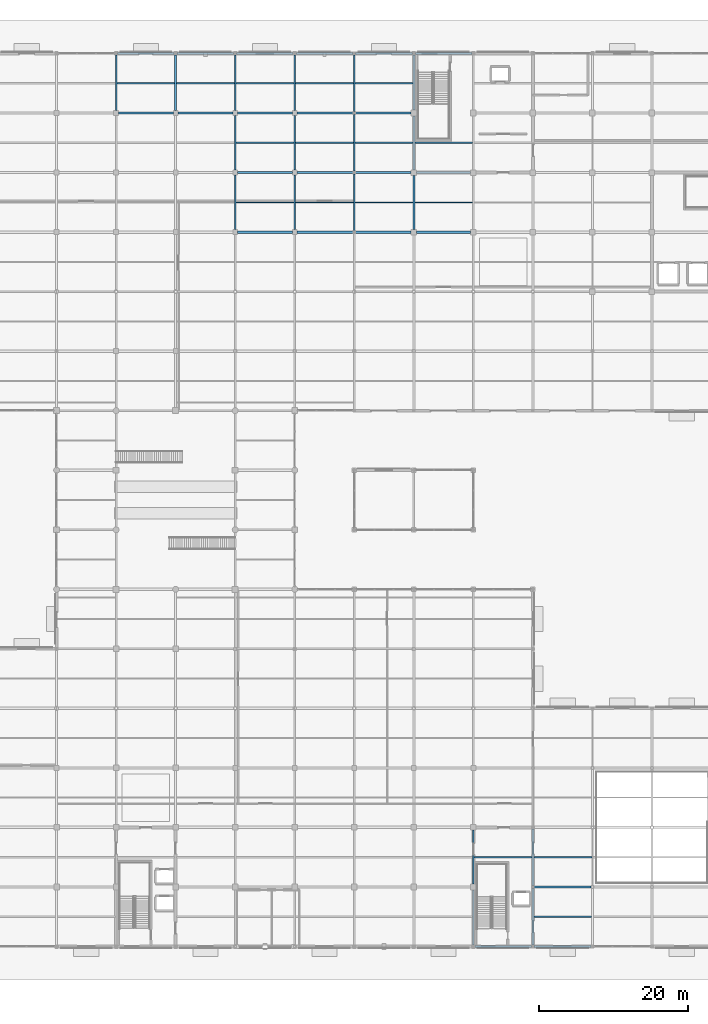
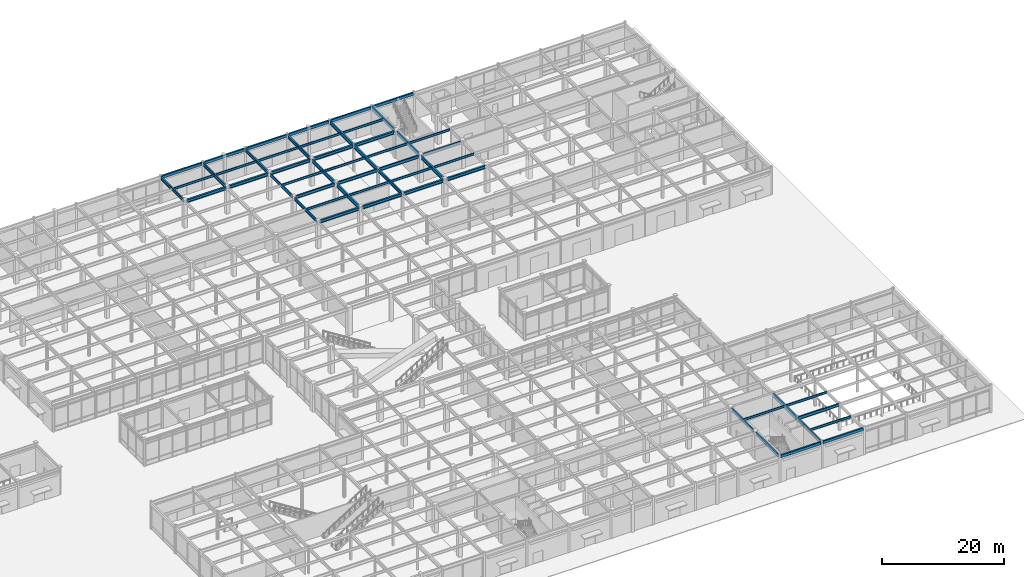
# One storey, part 76 of 128: 56 beams.
"""IFC4 building model written with IfcOpenShell, lengths in metres."""

from ifc_helpers import new_model, si_unit, direction, frame, origin, origin_2d, place, context, subcontext, project, spatial, hollow_rectangle, i_section, extrude, material, material_profile, profile_set, type_object, element, save


model = new_model("IFC4")

# Units and contexts
model_context = context("Model", 3, precision=1e-05, world=origin(), true_north=direction((0.0, 1.0)))
body_context = subcontext(model_context, "Body", "Model", "MODEL_VIEW")
ifc_project = project(units=[si_unit("LENGTHUNIT", "METRE"), si_unit("AREAUNIT", "SQUARE_METRE"), si_unit("VOLUMEUNIT", "CUBIC_METRE"), si_unit("PLANEANGLEUNIT", "RADIAN"), si_unit("MASSUNIT", "GRAM", prefix="KILO")], contexts=[model_context])

# Site, building, storey
site_placement = place(None, origin())
site = spatial("IfcSite", under=ifc_project, at=site_placement, CompositionType="ELEMENT")
building_placement = place(site_placement, origin())
building = spatial("IfcBuilding", under=site, at=building_placement, Name="Solmirada Galleria", CompositionType="ELEMENT")
storey_placement = place(building_placement, origin())
storey = spatial("IfcBuildingStorey", under=building, at=storey_placement, Name="L00", CompositionType="ELEMENT", Elevation=0.0)

# Beams
ifc_material_1 = material(Name="Steel S355 / ASTM A992 Grade 50", Category="steel")
ifc_material_profile_1 = material_profile(ifc_material_1, i_section(OverallWidth=0.323974609375, OverallDepth=0.611083984375, WebThickness=0.0126953125, FlangeThickness=0.01904296875, FilletRadius=0.014892578125, at=origin_2d()), Name="W24X104")
ifc_profile_set_1 = profile_set([ifc_material_profile_1], Name="Steel S355 / ASTM A992 Grade 50")
beam_type_1 = type_object("IfcBeamType", Name="BM-GIRD-W24A", PredefinedType="BEAM", material=ifc_profile_set_1)
for number, where, z_axis, x_axis, name in (
    (1, (88.324951171875, 112.0, 5.074462890625), (1.0, 0.0, 0.0), (0.0, 1.0, 0.0), "Primary beam L01 X(88..96, 112)"),
    (2, (96.324951171875, 112.0, 5.074462890625), (1.0, 0.0, 0.0), (0.0, 1.0, 0.0), "Primary beam L01 X(96..104, 112)"),
    (3, (104.324951171875, 96.0, 5.074462890625), (1.0, 0.0, 0.0), (0.0, 1.0, 0.0), "Primary beam L01 X(104..112, 96)"),
    (4, (104.324951171875, 112.0, 5.074462890625), (1.0, 0.0, 0.0), (0.0, 1.0, 0.0), "Primary beam L01 X(104..112, 112)"),
):
    element("IfcBeam", number, at=place(storey_placement, frame(where, z_axis=z_axis, x_axis=x_axis)), inside=storey, type_object=beam_type_1, Name=name, PredefinedType="BEAM", context=body_context, shape_type="SweptSolid", body=[
        extrude(i_section(OverallWidth=0.323974609375, OverallDepth=0.611083984375, WebThickness=0.0126953125, FlangeThickness=0.01904296875, FilletRadius=0.014892578125, at=origin_2d()), origin(), (0.0, 0.0, 1.0), 7.35009765625),
    ])
for number, where, z_axis, x_axis, name in (
    (5, (112.324951171875, 96.0, 5.074462890625), (1.0, 0.0, 0.0), (0.0, 1.0, 0.0), "Primary beam L01 X(112..120, 96)"),
    (6, (112.324951171875, 112.0, 5.074462890625), (1.0, 0.0, 0.0), (0.0, 1.0, 0.0), "Primary beam L01 X(112..120, 112)"),
):
    element("IfcBeam", number, at=place(storey_placement, frame(where, z_axis=z_axis, x_axis=x_axis)), inside=storey, type_object=beam_type_1, Name=name, PredefinedType="BEAM", context=body_context, shape_type="SweptSolid", body=[
        extrude(i_section(OverallWidth=0.323974609375, OverallDepth=0.611083984375, WebThickness=0.0126953125, FlangeThickness=0.01904296875, FilletRadius=0.014892578125, at=origin_2d()), origin(), (0.0, 0.0, 1.0), 7.4970703125),
    ])
for number, where, z_axis, x_axis, name in (
    (7, (120.177978515625, 96.0, 5.074462890625), (1.0, 0.0, 0.0), (0.0, 1.0, 0.0), "Primary beam L01 X(120..128, 96)"),
    (8, (120.177978515625, 112.0, 5.074462890625), (1.0, 0.0, 0.0), (0.0, 1.0, 0.0), "Primary beam L01 X(120..128, 112)"),
):
    element("IfcBeam", number, at=place(storey_placement, frame(where, z_axis=z_axis, x_axis=x_axis)), inside=storey, type_object=beam_type_1, Name=name, PredefinedType="BEAM", context=body_context, shape_type="SweptSolid", body=[
        extrude(i_section(OverallWidth=0.323974609375, OverallDepth=0.611083984375, WebThickness=0.0126953125, FlangeThickness=0.01904296875, FilletRadius=0.014892578125, at=origin_2d()), origin(), (0.0, 0.0, 1.0), 7.447021484375),
    ])
beam_1_placement = place(storey_placement, frame((128.375, 96.0, 5.074462890625), z_axis=(1.0, 0.0, 0.0), x_axis=(0.0, 1.0, 0.0)))
element("IfcBeam", 9, at=beam_1_placement, inside=storey, type_object=beam_type_1, Name="Primary beam L01 X(128..136, 96)", PredefinedType="BEAM", context=body_context, shape_type="SweptSolid", body=[
    extrude(i_section(OverallWidth=0.323974609375, OverallDepth=0.611083984375, WebThickness=0.0126953125, FlangeThickness=0.01904296875, FilletRadius=0.014892578125, at=origin_2d()), origin(), (0.0, 0.0, 1.0), 7.25),
])
ifc_material_profile_2 = material_profile(ifc_material_1, i_section(OverallWidth=0.22900390625, OverallDepth=0.612060546875, WebThickness=0.011962890625, FlangeThickness=0.01953125, FilletRadius=0.014892578125, at=origin_2d()), Name="W24X84")
ifc_profile_set_2 = profile_set([ifc_material_profile_2], Name="Steel S355 / ASTM A992 Grade 50")
beam_type_2 = type_object("IfcBeamType", Name="BM-GIRD-W24B", PredefinedType="BEAM", material=ifc_profile_set_2)
beam_2_placement = place(storey_placement, frame((104.324951171875, 104.0, 5.073974609375), z_axis=(1.0, 0.0, 0.0), x_axis=(0.0, 1.0, 0.0)))
element("IfcBeam", 10, at=beam_2_placement, inside=storey, type_object=beam_type_2, Name="Primary beam L01 X(104..112, 104)", PredefinedType="BEAM", context=body_context, shape_type="SweptSolid", body=[
    extrude(i_section(OverallWidth=0.22900390625, OverallDepth=0.612060546875, WebThickness=0.011962890625, FlangeThickness=0.01953125, FilletRadius=0.014892578125, at=origin_2d()), origin(), (0.0, 0.0, 1.0), 7.35009765625),
])
beam_3_placement = place(storey_placement, frame((112.324951171875, 104.0, 5.073974609375), z_axis=(1.0, 0.0, 0.0), x_axis=(0.0, 1.0, 0.0)))
element("IfcBeam", 11, at=beam_3_placement, inside=storey, type_object=beam_type_2, Name="Primary beam L01 X(112..120, 104)", PredefinedType="BEAM", context=body_context, shape_type="SweptSolid", body=[
    extrude(i_section(OverallWidth=0.22900390625, OverallDepth=0.612060546875, WebThickness=0.011962890625, FlangeThickness=0.01953125, FilletRadius=0.014892578125, at=origin_2d()), origin(), (0.0, 0.0, 1.0), 7.4970703125),
])
beam_4_placement = place(storey_placement, frame((120.177978515625, 104.0, 5.073974609375), z_axis=(1.0, 0.0, 0.0), x_axis=(0.0, 1.0, 0.0)))
element("IfcBeam", 12, at=beam_4_placement, inside=storey, type_object=beam_type_2, Name="Primary beam L01 X(120..128, 104)", PredefinedType="BEAM", context=body_context, shape_type="SweptSolid", body=[
    extrude(i_section(OverallWidth=0.22900390625, OverallDepth=0.612060546875, WebThickness=0.011962890625, FlangeThickness=0.01953125, FilletRadius=0.014892578125, at=origin_2d()), origin(), (0.0, 0.0, 1.0), 7.447021484375),
])
beam_5_placement = place(storey_placement, frame((128.375, 104.0, 5.073974609375), z_axis=(1.0, 0.0, 0.0), x_axis=(0.0, 1.0, 0.0)))
element("IfcBeam", 13, at=beam_5_placement, inside=storey, type_object=beam_type_2, Name="Primary beam L01 X(128..136, 104)", PredefinedType="BEAM", context=body_context, shape_type="SweptSolid", body=[
    extrude(i_section(OverallWidth=0.22900390625, OverallDepth=0.612060546875, WebThickness=0.011962890625, FlangeThickness=0.01953125, FilletRadius=0.014892578125, at=origin_2d()), origin(), (0.0, 0.0, 1.0), 7.25),
])
beam_6_placement = place(storey_placement, frame((144.177978515625, 8.0, 5.073974609375), z_axis=(1.0, 0.0, 0.0), x_axis=(0.0, 1.0, 0.0)))
element("IfcBeam", 14, at=beam_6_placement, inside=storey, type_object=beam_type_2, Name="Primary beam L01 X(144..152, 8)", PredefinedType="BEAM", context=body_context, shape_type="SweptSolid", body=[
    extrude(i_section(OverallWidth=0.22900390625, OverallDepth=0.612060546875, WebThickness=0.011962890625, FlangeThickness=0.01953125, FilletRadius=0.014892578125, at=origin_2d()), origin(), (0.0, 0.0, 1.0), 7.64404296875),
])
ifc_material_profile_3 = material_profile(ifc_material_1, i_section(OverallWidth=0.22802734375, OverallDepth=0.60302734375, WebThickness=0.010498046875, FlangeThickness=0.014892578125, FilletRadius=0.014892578125, at=origin_2d()), Name="W24X68")
ifc_profile_set_3 = profile_set([ifc_material_profile_3], Name="Steel S355 / ASTM A992 Grade 50")
beam_type_3 = type_object("IfcBeamType", Name="BM-GIRD-W24C", PredefinedType="BEAM", material=ifc_profile_set_3)
beam_7_placement = place(storey_placement, frame((88.0, 112.324951171875, 5.07861328125), z_axis=(0.0, 1.0, 0.0), x_axis=(-1.0, 0.0, 0.0)))
element("IfcBeam", 15, at=beam_7_placement, inside=storey, type_object=beam_type_3, Name="Primary girder L01 Y(88, 112..120)", PredefinedType="BEAM", context=body_context, shape_type="SweptSolid", body=[
    extrude(i_section(OverallWidth=0.22802734375, OverallDepth=0.60302734375, WebThickness=0.010498046875, FlangeThickness=0.014892578125, FilletRadius=0.014892578125, at=origin_2d()), origin(), (0.0, 0.0, 1.0), 7.47216796875),
])
beam_8_placement = place(storey_placement, frame((104.0, 96.324951171875, 5.07861328125), z_axis=(0.0, 1.0, 0.0), x_axis=(-1.0, 0.0, 0.0)))
element("IfcBeam", 16, at=beam_8_placement, inside=storey, type_object=beam_type_3, Name="Primary girder L01 Y(104, 96..104)", PredefinedType="BEAM", context=body_context, shape_type="SweptSolid", body=[
    extrude(i_section(OverallWidth=0.22802734375, OverallDepth=0.60302734375, WebThickness=0.010498046875, FlangeThickness=0.014892578125, FilletRadius=0.014892578125, at=origin_2d()), origin(), (0.0, 0.0, 1.0), 7.35009765625),
])
beam_9_placement = place(storey_placement, frame((104.0, 112.324951171875, 5.07861328125), z_axis=(0.0, 1.0, 0.0), x_axis=(-1.0, 0.0, 0.0)))
element("IfcBeam", 17, at=beam_9_placement, inside=storey, type_object=beam_type_3, Name="Primary girder L01 Y(104, 112..120)", PredefinedType="BEAM", context=body_context, shape_type="SweptSolid", body=[
    extrude(i_section(OverallWidth=0.22802734375, OverallDepth=0.60302734375, WebThickness=0.010498046875, FlangeThickness=0.014892578125, FilletRadius=0.014892578125, at=origin_2d()), origin(), (0.0, 0.0, 1.0), 7.47216796875),
])
beam_10_placement = place(storey_placement, frame((136.0, 0.202880859375, 5.07861328125), z_axis=(0.0, 1.0, 0.0), x_axis=(-1.0, 0.0, 0.0)))
element("IfcBeam", 18, at=beam_10_placement, inside=storey, type_object=beam_type_3, Name="Primary girder L01 Y(136, 0..8)", PredefinedType="BEAM", context=body_context, shape_type="SweptSolid", body=[
    extrude(i_section(OverallWidth=0.22802734375, OverallDepth=0.60302734375, WebThickness=0.010498046875, FlangeThickness=0.014892578125, FilletRadius=0.014892578125, at=origin_2d()), origin(), (0.0, 0.0, 1.0), 7.422119140625),
])
ifc_material_profile_4 = material_profile(ifc_material_1, i_section(OverallWidth=0.177978515625, OverallDepth=0.59912109375, WebThickness=0.010009765625, FlangeThickness=0.0126953125, FilletRadius=0.013916015625, at=origin_2d()), Name="W24X55")
ifc_profile_set_4 = profile_set([ifc_material_profile_4], Name="Steel S355 / ASTM A992 Grade 50")
beam_type_4 = type_object("IfcBeamType", Name="BM-GIRD-W24D", PredefinedType="BEAM", material=ifc_profile_set_4)
beam_11_placement = place(storey_placement, frame((104.0, 104.324951171875, 5.08056640625), z_axis=(0.0, 1.0, 0.0), x_axis=(-1.0, 0.0, 0.0)))
element("IfcBeam", 19, at=beam_11_placement, inside=storey, type_object=beam_type_4, Name="Primary girder L01 Y(104, 104..112)", PredefinedType="BEAM", context=body_context, shape_type="SweptSolid", body=[
    extrude(i_section(OverallWidth=0.177978515625, OverallDepth=0.59912109375, WebThickness=0.010009765625, FlangeThickness=0.0126953125, FilletRadius=0.013916015625, at=origin_2d()), origin(), (0.0, 0.0, 1.0), 7.35009765625),
])
beam_12_placement = place(storey_placement, frame((136.0, 8.375, 5.08056640625), z_axis=(0.0, 1.0, 0.0), x_axis=(-1.0, 0.0, 0.0)))
element("IfcBeam", 20, at=beam_12_placement, inside=storey, type_object=beam_type_4, Name="Primary girder L01 Y(136, 8..16)", PredefinedType="BEAM", context=body_context, shape_type="SweptSolid", body=[
    extrude(i_section(OverallWidth=0.177978515625, OverallDepth=0.59912109375, WebThickness=0.010009765625, FlangeThickness=0.0126953125, FilletRadius=0.013916015625, at=origin_2d()), origin(), (0.0, 0.0, 1.0), 7.25),
])
ifc_material_profile_5 = material_profile(ifc_material_1, i_section(OverallWidth=0.256103515625, OverallDepth=0.693115234375, WebThickness=0.014404296875, FlangeThickness=0.023681640625, FilletRadius=0.01806640625, at=origin_2d()), Name="W27X114")
ifc_profile_set_5 = profile_set([ifc_material_profile_5], Name="Steel S355 / ASTM A992 Grade 50")
beam_type_5 = type_object("IfcBeamType", Name="BM-GIRD-W27A", PredefinedType="BEAM", material=ifc_profile_set_5)
beam_13_placement = place(storey_placement, frame((96.0, 112.324951171875, 5.033447265625), z_axis=(0.0, 1.0, 0.0), x_axis=(-1.0, 0.0, 0.0)))
element("IfcBeam", 21, at=beam_13_placement, inside=storey, type_object=beam_type_5, Name="Primary girder L01 Y(96, 112..120)", PredefinedType="BEAM", context=body_context, shape_type="SweptSolid", body=[
    extrude(i_section(OverallWidth=0.256103515625, OverallDepth=0.693115234375, WebThickness=0.014404296875, FlangeThickness=0.023681640625, FilletRadius=0.01806640625, at=origin_2d()), origin(), (0.0, 0.0, 1.0), 7.47216796875),
])
for number, where, z_axis, x_axis, name in (
    (22, (120.0, 96.177978515625, 5.033447265625), (0.0, 1.0, 0.0), (-1.0, 0.0, 0.0), "Primary girder L01 Y(120, 96..104)"),
    (23, (120.0, 104.177978515625, 5.033447265625), (0.0, 1.0, 0.0), (-1.0, 0.0, 0.0), "Primary girder L01 Y(120, 104..112)"),
    (24, (120.0, 112.177978515625, 5.033447265625), (0.0, 1.0, 0.0), (-1.0, 0.0, 0.0), "Primary girder L01 Y(120, 112..120)"),
    (25, (144.0, 0.177978515625, 5.033447265625), (0.0, 1.0, 0.0), (-1.0, 0.0, 0.0), "Primary girder L01 Y(144, 0..8)"),
    (26, (144.0, 8.177978515625, 5.033447265625), (0.0, 1.0, 0.0), (-1.0, 0.0, 0.0), "Primary girder L01 Y(144, 8..16)"),
):
    element("IfcBeam", number, at=place(storey_placement, frame(where, z_axis=z_axis, x_axis=x_axis)), inside=storey, type_object=beam_type_5, Name=name, PredefinedType="BEAM", context=body_context, shape_type="SweptSolid", body=[
        extrude(i_section(OverallWidth=0.256103515625, OverallDepth=0.693115234375, WebThickness=0.014404296875, FlangeThickness=0.023681640625, FilletRadius=0.01806640625, at=origin_2d()), origin(), (0.0, 0.0, 1.0), 7.64404296875),
    ])
ifc_material_profile_6 = material_profile(ifc_material_1, i_section(OverallWidth=0.25390625, OverallDepth=0.68408203125, WebThickness=0.012451171875, FlangeThickness=0.018798828125, FilletRadius=0.01708984375, at=origin_2d()), Name="W27X94")
ifc_profile_set_6 = profile_set([ifc_material_profile_6], Name="Steel S355 / ASTM A992 Grade 50")
beam_type_6 = type_object("IfcBeamType", Name="BM-GIRD-W27B", PredefinedType="BEAM", material=ifc_profile_set_6)
for number, where, z_axis, x_axis, name in (
    (27, (112.0, 96.324951171875, 5.0380859375), (0.0, 1.0, 0.0), (-1.0, 0.0, 0.0), "Primary girder L01 Y(112, 96..104)"),
    (28, (112.0, 104.324951171875, 5.0380859375), (0.0, 1.0, 0.0), (-1.0, 0.0, 0.0), "Primary girder L01 Y(112, 104..112)"),
):
    element("IfcBeam", number, at=place(storey_placement, frame(where, z_axis=z_axis, x_axis=x_axis)), inside=storey, type_object=beam_type_6, Name=name, PredefinedType="BEAM", context=body_context, shape_type="SweptSolid", body=[
        extrude(i_section(OverallWidth=0.25390625, OverallDepth=0.68408203125, WebThickness=0.012451171875, FlangeThickness=0.018798828125, FilletRadius=0.01708984375, at=origin_2d()), origin(), (0.0, 0.0, 1.0), 7.35009765625),
    ])
beam_14_placement = place(storey_placement, frame((112.0, 112.324951171875, 5.0380859375), z_axis=(0.0, 1.0, 0.0), x_axis=(-1.0, 0.0, 0.0)))
element("IfcBeam", 29, at=beam_14_placement, inside=storey, type_object=beam_type_6, Name="Primary girder L01 Y(112, 112..120)", PredefinedType="BEAM", context=body_context, shape_type="SweptSolid", body=[
    extrude(i_section(OverallWidth=0.25390625, OverallDepth=0.68408203125, WebThickness=0.012451171875, FlangeThickness=0.018798828125, FilletRadius=0.01708984375, at=origin_2d()), origin(), (0.0, 0.0, 1.0), 7.47216796875),
])
for number, where, z_axis, x_axis, name in (
    (30, (128.0, 96.375, 5.0380859375), (0.0, 1.0, 0.0), (-1.0, 0.0, 0.0), "Primary girder L01 Y(128, 96..104)"),
    (31, (128.0, 104.375, 5.0380859375), (0.0, 1.0, 0.0), (-1.0, 0.0, 0.0), "Primary girder L01 Y(128, 104..112)"),
):
    element("IfcBeam", number, at=place(storey_placement, frame(where, z_axis=z_axis, x_axis=x_axis)), inside=storey, type_object=beam_type_6, Name=name, PredefinedType="BEAM", context=body_context, shape_type="SweptSolid", body=[
        extrude(i_section(OverallWidth=0.25390625, OverallDepth=0.68408203125, WebThickness=0.012451171875, FlangeThickness=0.018798828125, FilletRadius=0.01708984375, at=origin_2d()), origin(), (0.0, 0.0, 1.0), 7.25),
    ])
beam_15_placement = place(storey_placement, frame((128.0, 112.375, 5.0380859375), z_axis=(0.0, 1.0, 0.0), x_axis=(-1.0, 0.0, 0.0)))
element("IfcBeam", 32, at=beam_15_placement, inside=storey, type_object=beam_type_6, Name="Primary girder L01 Y(128, 112..120)", PredefinedType="BEAM", context=body_context, shape_type="SweptSolid", body=[
    extrude(i_section(OverallWidth=0.25390625, OverallDepth=0.68408203125, WebThickness=0.012451171875, FlangeThickness=0.018798828125, FilletRadius=0.01708984375, at=origin_2d()), origin(), (0.0, 0.0, 1.0), 7.422119140625),
])
ifc_material_profile_7 = material_profile(ifc_material_1, i_section(OverallWidth=0.153076171875, OverallDepth=0.455078125, WebThickness=0.008056640625, FlangeThickness=0.01318359375, FilletRadius=0.011962890625, at=origin_2d()), Name="W18X40")
ifc_profile_set_7 = profile_set([ifc_material_profile_7], Name="Steel S355 / ASTM A992 Grade 50")
beam_type_7 = type_object("IfcBeamType", Name="BM-JST-W18A", PredefinedType="JOIST", material=ifc_profile_set_7)
for number, where, z_axis, x_axis, name in (
    (33, (88.114013671875, 116.0, 5.152587890625), (1.0, 0.0, 0.0), (0.0, 1.0, 0.0), "Composite floor joist L01 (88..96, 116.0)"),
    (34, (96.1279296875, 116.0, 5.152587890625), (1.0, 0.0, 0.0), (0.0, 1.0, 0.0), "Composite floor joist L01 (96..104, 116.0)"),
):
    element("IfcBeam", number, at=place(storey_placement, frame(where, z_axis=z_axis, x_axis=x_axis)), inside=storey, type_object=beam_type_7, Name=name, PredefinedType="JOIST", context=body_context, shape_type="SweptSolid", body=[
        extrude(i_section(OverallWidth=0.153076171875, OverallDepth=0.455078125, WebThickness=0.008056640625, FlangeThickness=0.01318359375, FilletRadius=0.011962890625, at=origin_2d()), origin(), (0.0, 0.0, 1.0), 7.758056640625),
    ])
beam_16_placement = place(storey_placement, frame((104.114013671875, 100.0, 5.152587890625), z_axis=(1.0, 0.0, 0.0), x_axis=(0.0, 1.0, 0.0)))
element("IfcBeam", 35, at=beam_16_placement, inside=storey, type_object=beam_type_7, Name="Composite floor joist L01 (104..112, 100.0)", PredefinedType="JOIST", context=body_context, shape_type="SweptSolid", body=[
    extrude(i_section(OverallWidth=0.153076171875, OverallDepth=0.455078125, WebThickness=0.008056640625, FlangeThickness=0.01318359375, FilletRadius=0.011962890625, at=origin_2d()), origin(), (0.0, 0.0, 1.0), 7.759033203125),
])
beam_17_placement = place(storey_placement, frame((104.089111328125, 108.0, 5.152587890625), z_axis=(1.0, 0.0, 0.0), x_axis=(0.0, 1.0, 0.0)))
element("IfcBeam", 36, at=beam_17_placement, inside=storey, type_object=beam_type_7, Name="Composite floor joist L01 (104..112, 108.0)", PredefinedType="JOIST", context=body_context, shape_type="SweptSolid", body=[
    extrude(i_section(OverallWidth=0.153076171875, OverallDepth=0.455078125, WebThickness=0.008056640625, FlangeThickness=0.01318359375, FilletRadius=0.011962890625, at=origin_2d()), origin(), (0.0, 0.0, 1.0), 7.783935546875),
])
beam_18_placement = place(storey_placement, frame((104.114013671875, 116.0, 5.152587890625), z_axis=(1.0, 0.0, 0.0), x_axis=(0.0, 1.0, 0.0)))
element("IfcBeam", 37, at=beam_18_placement, inside=storey, type_object=beam_type_7, Name="Composite floor joist L01 (104..112, 116.0)", PredefinedType="JOIST", context=body_context, shape_type="SweptSolid", body=[
    extrude(i_section(OverallWidth=0.153076171875, OverallDepth=0.455078125, WebThickness=0.008056640625, FlangeThickness=0.01318359375, FilletRadius=0.011962890625, at=origin_2d()), origin(), (0.0, 0.0, 1.0), 7.759033203125),
])
for number, where, z_axis, x_axis, name in (
    (38, (112.126953125, 100.0, 5.152587890625), (1.0, 0.0, 0.0), (0.0, 1.0, 0.0), "Composite floor joist L01 (112..120, 100.0)"),
    (39, (112.126953125, 108.0, 5.152587890625), (1.0, 0.0, 0.0), (0.0, 1.0, 0.0), "Composite floor joist L01 (112..120, 108.0)"),
    (40, (112.126953125, 116.0, 5.152587890625), (1.0, 0.0, 0.0), (0.0, 1.0, 0.0), "Composite floor joist L01 (112..120, 116.0)"),
    (41, (120.1279296875, 100.0, 5.152587890625), (1.0, 0.0, 0.0), (0.0, 1.0, 0.0), "Composite floor joist L01 (120..128, 100.0)"),
    (42, (120.1279296875, 108.0, 5.152587890625), (1.0, 0.0, 0.0), (0.0, 1.0, 0.0), "Composite floor joist L01 (120..128, 108.0)"),
    (43, (120.1279296875, 116.0, 5.152587890625), (1.0, 0.0, 0.0), (0.0, 1.0, 0.0), "Composite floor joist L01 (120..128, 116.0)"),
):
    element("IfcBeam", number, at=place(storey_placement, frame(where, z_axis=z_axis, x_axis=x_axis)), inside=storey, type_object=beam_type_7, Name=name, PredefinedType="JOIST", context=body_context, shape_type="SweptSolid", body=[
        extrude(i_section(OverallWidth=0.153076171875, OverallDepth=0.455078125, WebThickness=0.008056640625, FlangeThickness=0.01318359375, FilletRadius=0.011962890625, at=origin_2d()), origin(), (0.0, 0.0, 1.0), 7.7451171875),
    ])
beam_19_placement = place(storey_placement, frame((128.126953125, 100.0, 5.152587890625), z_axis=(1.0, 0.0, 0.0), x_axis=(0.0, 1.0, 0.0)))
element("IfcBeam", 44, at=beam_19_placement, inside=storey, type_object=beam_type_7, Name="Composite floor joist L01 (128..136, 100.0)", PredefinedType="JOIST", context=body_context, shape_type="SweptSolid", body=[
    extrude(i_section(OverallWidth=0.153076171875, OverallDepth=0.455078125, WebThickness=0.008056640625, FlangeThickness=0.01318359375, FilletRadius=0.011962890625, at=origin_2d()), origin(), (0.0, 0.0, 1.0), 7.759033203125),
])
beam_20_placement = place(storey_placement, frame((128.126953125, 108.0, 5.152587890625), z_axis=(1.0, 0.0, 0.0), x_axis=(0.0, 1.0, 0.0)))
element("IfcBeam", 45, at=beam_20_placement, inside=storey, type_object=beam_type_7, Name="Composite floor joist L01 (128..136, 108.0)", PredefinedType="JOIST", context=body_context, shape_type="SweptSolid", body=[
    extrude(i_section(OverallWidth=0.153076171875, OverallDepth=0.455078125, WebThickness=0.008056640625, FlangeThickness=0.01318359375, FilletRadius=0.011962890625, at=origin_2d()), origin(), (0.0, 0.0, 1.0), 7.783935546875),
])
beam_21_placement = place(storey_placement, frame((136.089111328125, 12.0, 5.152587890625), z_axis=(1.0, 0.0, 0.0), x_axis=(0.0, 1.0, 0.0)))
element("IfcBeam", 46, at=beam_21_placement, inside=storey, type_object=beam_type_7, Name="Composite floor joist L01 (136..144, 12.0)", PredefinedType="JOIST", context=body_context, shape_type="SweptSolid", body=[
    extrude(i_section(OverallWidth=0.153076171875, OverallDepth=0.455078125, WebThickness=0.008056640625, FlangeThickness=0.01318359375, FilletRadius=0.011962890625, at=origin_2d()), origin(), (0.0, 0.0, 1.0), 7.782958984375),
])
beam_22_placement = place(storey_placement, frame((144.1279296875, 4.0, 5.152587890625), z_axis=(1.0, 0.0, 0.0), x_axis=(0.0, 1.0, 0.0)))
element("IfcBeam", 47, at=beam_22_placement, inside=storey, type_object=beam_type_7, Name="Composite floor joist L01 (144..152, 4.0)", PredefinedType="JOIST", context=body_context, shape_type="SweptSolid", body=[
    extrude(i_section(OverallWidth=0.153076171875, OverallDepth=0.455078125, WebThickness=0.008056640625, FlangeThickness=0.01318359375, FilletRadius=0.011962890625, at=origin_2d()), origin(), (0.0, 0.0, 1.0), 7.758056640625),
])
beam_23_placement = place(storey_placement, frame((144.1279296875, 12.0, 5.152587890625), z_axis=(1.0, 0.0, 0.0), x_axis=(0.0, 1.0, 0.0)))
element("IfcBeam", 48, at=beam_23_placement, inside=storey, type_object=beam_type_7, Name="Composite floor joist L01 (144..152, 12.0)", PredefinedType="JOIST", context=body_context, shape_type="SweptSolid", body=[
    extrude(i_section(OverallWidth=0.153076171875, OverallDepth=0.455078125, WebThickness=0.008056640625, FlangeThickness=0.01318359375, FilletRadius=0.011962890625, at=origin_2d()), origin(), (0.0, 0.0, 1.0), 7.782958984375),
])
ifc_material_2 = material(Name="Steel S355 / ASTM A500 Grade C", Category="steel")
ifc_material_profile_8 = material_profile(ifc_material_2, hollow_rectangle(XDim=0.304931640625, YDim=0.55908203125, WallThickness=0.01171875, InnerFilletRadius=0.01171875, OuterFilletRadius=0.023681640625, at=origin_2d()), Name="HSS22X12X1/2")
ifc_profile_set_8 = profile_set([ifc_material_profile_8], Name="Steel S355 / ASTM A500 Grade C")
beam_type_8 = type_object("IfcBeamType", Name="BM-SPAND-W21", PredefinedType="SPANDREL", material=ifc_profile_set_8)
for number, where, z_axis, x_axis, name in (
    (49, (88.202880859375, 120.0, 5.1005859375), (1.0, 0.0, 0.0), (0.0, 1.0, 0.0), "Primary beam L01 X(88..96, 120)"),
    (50, (96.202880859375, 120.0, 5.1005859375), (1.0, 0.0, 0.0), (0.0, 1.0, 0.0), "Primary beam L01 X(96..104, 120)"),
    (51, (104.202880859375, 120.0, 5.1005859375), (1.0, 0.0, 0.0), (0.0, 1.0, 0.0), "Primary beam L01 X(104..112, 120)"),
):
    element("IfcBeam", number, at=place(storey_placement, frame(where, z_axis=z_axis, x_axis=x_axis)), inside=storey, type_object=beam_type_8, Name=name, PredefinedType="SPANDREL", context=body_context, shape_type="SweptSolid", body=[
        extrude(hollow_rectangle(XDim=0.304931640625, YDim=0.55908203125, WallThickness=0.01171875, InnerFilletRadius=0.01171875, OuterFilletRadius=0.023681640625, at=origin_2d()), origin(), (0.0, 0.0, 1.0), 7.59423828125),
    ])
for number, where, z_axis, x_axis, name in (
    (52, (112.202880859375, 120.0, 5.1005859375), (1.0, 0.0, 0.0), (0.0, 1.0, 0.0), "Primary beam L01 X(112..120, 120)"),
    (53, (120.177978515625, 120.0, 5.1005859375), (1.0, 0.0, 0.0), (0.0, 1.0, 0.0), "Primary beam L01 X(120..128, 120)"),
):
    element("IfcBeam", number, at=place(storey_placement, frame(where, z_axis=z_axis, x_axis=x_axis)), inside=storey, type_object=beam_type_8, Name=name, PredefinedType="SPANDREL", context=body_context, shape_type="SweptSolid", body=[
        extrude(hollow_rectangle(XDim=0.304931640625, YDim=0.55908203125, WallThickness=0.01171875, InnerFilletRadius=0.01171875, OuterFilletRadius=0.023681640625, at=origin_2d()), origin(), (0.0, 0.0, 1.0), 7.619140625),
    ])
beam_24_placement = place(storey_placement, frame((128.202880859375, 120.0, 5.1005859375), z_axis=(1.0, 0.0, 0.0), x_axis=(0.0, 1.0, 0.0)))
element("IfcBeam", 54, at=beam_24_placement, inside=storey, type_object=beam_type_8, Name="Primary beam L01 X(128..136, 120)", PredefinedType="SPANDREL", context=body_context, shape_type="SweptSolid", body=[
    extrude(hollow_rectangle(XDim=0.304931640625, YDim=0.55908203125, WallThickness=0.01171875, InnerFilletRadius=0.01171875, OuterFilletRadius=0.023681640625, at=origin_2d()), origin(), (0.0, 0.0, 1.0), 7.59423828125),
])
beam_25_placement = place(storey_placement, frame((136.202880859375, 0.0, 5.1005859375), z_axis=(1.0, 0.0, 0.0), x_axis=(0.0, 1.0, 0.0)))
element("IfcBeam", 55, at=beam_25_placement, inside=storey, type_object=beam_type_8, Name="Primary beam L01 X(136..144, 0)", PredefinedType="SPANDREL", context=body_context, shape_type="SweptSolid", body=[
    extrude(hollow_rectangle(XDim=0.304931640625, YDim=0.55908203125, WallThickness=0.01171875, InnerFilletRadius=0.01171875, OuterFilletRadius=0.023681640625, at=origin_2d()), origin(), (0.0, 0.0, 1.0), 7.619140625),
])
beam_26_placement = place(storey_placement, frame((144.177978515625, 0.0, 5.1005859375), z_axis=(1.0, 0.0, 0.0), x_axis=(0.0, 1.0, 0.0)))
element("IfcBeam", 56, at=beam_26_placement, inside=storey, type_object=beam_type_8, Name="Primary beam L01 X(144..152, 0)", PredefinedType="SPANDREL", context=body_context, shape_type="SweptSolid", body=[
    extrude(hollow_rectangle(XDim=0.304931640625, YDim=0.55908203125, WallThickness=0.01171875, InnerFilletRadius=0.01171875, OuterFilletRadius=0.023681640625, at=origin_2d()), origin(), (0.0, 0.0, 1.0), 7.64404296875),
])

save(model, "model.ifc")
